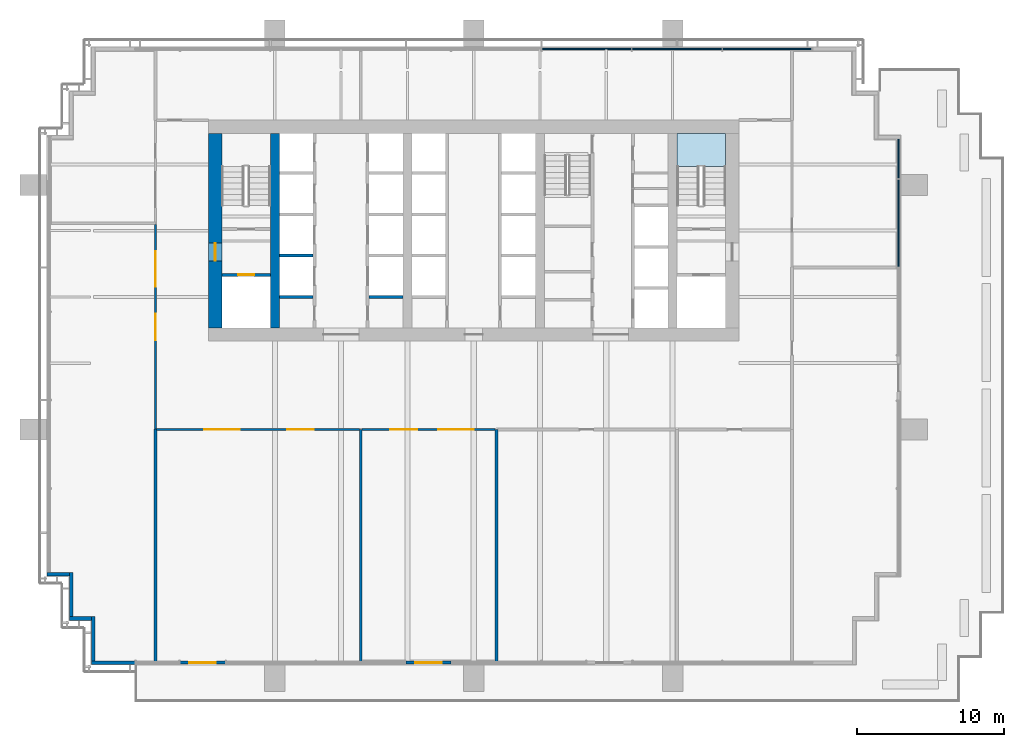
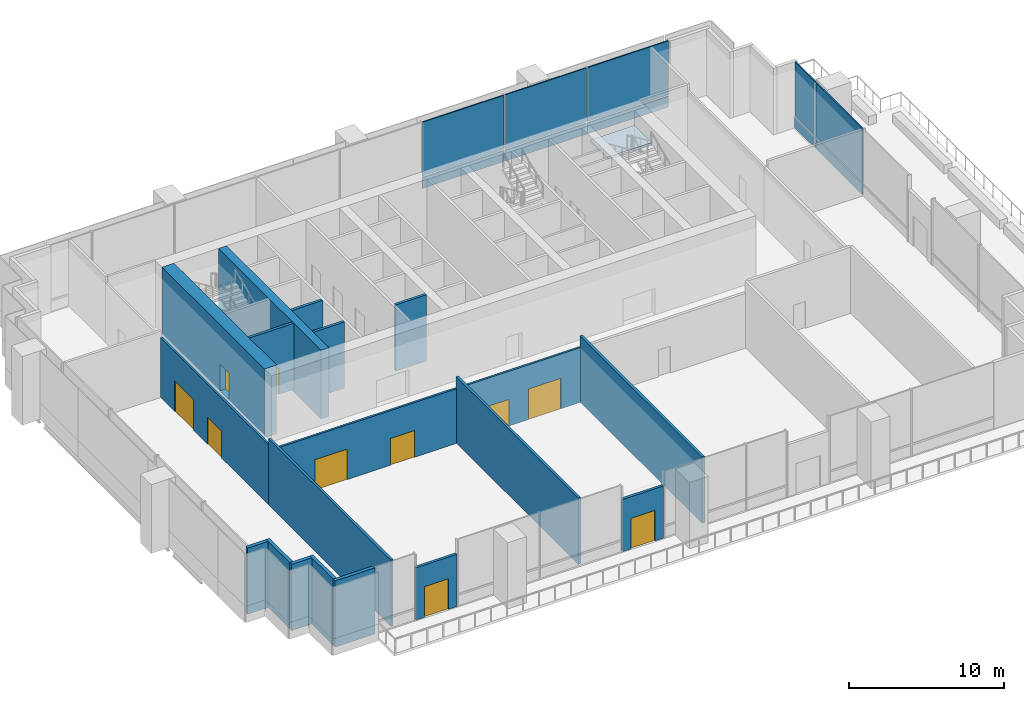
# One storey, part 7 of 14: 19 walls, 10 plates, 7 doors, 3 windows, 1 slab, 10 openings, 3 elements without a shape of their own.
"""IFC4 building model written with IfcOpenShell, lengths in metres."""

from ifc_helpers import new_model, si_unit, direction, frame, frame_2d, origin, origin_2d, place, context, subcontext, project, spatial, polyline, rectangle, outline, extrude, material, layer, layer_set, type_object, element, fill, aggregate, save


model = new_model("IFC4")

# Units and contexts
model_context = context("Model", 3, precision=1e-05, world=origin(), true_north=direction((0.0, 1.0)))
body_context = subcontext(model_context, "Body", "Model", "MODEL_VIEW")
ifc_project = project(units=[si_unit("LENGTHUNIT", "METRE"), si_unit("AREAUNIT", "SQUARE_METRE"), si_unit("VOLUMEUNIT", "CUBIC_METRE"), si_unit("PLANEANGLEUNIT", "RADIAN"), si_unit("MASSUNIT", "GRAM", prefix="KILO")], contexts=[model_context])

# Site, building, storey
site_placement = place(None, origin())
site = spatial("IfcSite", under=ifc_project, at=site_placement, CompositionType="ELEMENT")
building_placement = place(site_placement, origin())
building = spatial("IfcBuilding", under=site, at=building_placement, Name="Rattan Terrace Tower", CompositionType="ELEMENT")
storey_placement = place(building_placement, frame((0.0, 0.0, 120.699951171875)))
storey = spatial("IfcBuildingStorey", under=building, at=storey_placement, Name="L27", CompositionType="ELEMENT", Elevation=120.699951171875)

# Stair, slab
ifc_material_1 = material(Name="Concrete C40/50", Category="concrete")
stair_type = type_object("IfcStairType", Name="Core exit stair 1500", PredefinedType="HALF_TURN_STAIR", material=ifc_material_1)
stair_placement = place(storey_placement, origin())
stair = element("IfcStair", 1, at=stair_placement, inside=storey, type_object=stair_type, Name="L27 exit stair 2", PredefinedType="HALF_TURN_STAIR")
ifc_material_2 = material(Name="Concrete C40/50", Category="concrete")
ifc_layer_1 = layer(ifc_material_2, 0.199951171875)
ifc_layer_set_1 = layer_set([ifc_layer_1], Name="Core exit stair landing")
slab_type = type_object("IfcSlabType", Name="Core exit stair landing", PredefinedType="LANDING", material=ifc_layer_set_1)
slab_placement = place(storey_placement, frame((0.0, 0.0, 3.85009765625)))
slab = element("IfcSlab", 2, at=slab_placement, type_object=slab_type, Name="S2 landing 3", PredefinedType="LANDING", context=body_context, shape_type="SweptSolid", body=[
    extrude(outline(polyline([(17.10009765625, 4.360107421875), (17.10009765625, 6.60009765625), (13.800048828125, 6.60009765625), (13.800048828125, 4.360107421875), (17.10009765625, 4.360107421875)])), origin(), (0.0, 0.0, 1.0), 0.199951171875),
])
aggregate(stair, [slab])

# Curtain wall, plates
ifc_material_3 = material(Name="Steel fins, aluminium and glass", Category="steel")
ifc_layer_2 = layer(ifc_material_3, 0.300048828125)
ifc_layer_set_2 = layer_set([ifc_layer_2], Name="Sky Lobby Stick Curtain Wall")
curtain_wall_type = type_object("IfcCurtainWallType", Name="Sky Lobby Stick Curtain Wall", PredefinedType="NOTDEFINED", material=ifc_layer_set_2)
curtain_wall_1_placement = place(storey_placement, origin())
curtain_wall_1 = element("IfcCurtainWall", 3, at=curtain_wall_1_placement, inside=storey, type_object=curtain_wall_type, Name="Sky lobby curtain wall L27-2", PredefinedType="NOTDEFINED")
ifc_material_4 = material(Name="Insulated aluminium spandrel panel", Category="aluminium")
ifc_layer_3 = layer(ifc_material_4, 0.10009765625)
ifc_layer_set_3 = layer_set([ifc_layer_3], Name="Sky Lobby CW Insulated Panel")
plate_type_1 = type_object("IfcPlateType", Name="Sky Lobby CW Insulated Panel", PredefinedType="CURTAIN_PANEL", material=ifc_layer_set_3)
plate_1_placement = place(storey_placement, frame((28.830078125, 0.5, 0.0), z_axis=(0.0, 0.0, 1.0), x_axis=(0.0, 1.0, 0.0)))
plate_1 = element("IfcPlate", 4, at=plate_1_placement, type_object=plate_type_1, Name="Panel cwl-L27-002.2.1", PredefinedType="CURTAIN_PANEL", context=body_context, shape_type="SweptSolid", body=[
    extrude(rectangle(XDim=5.919921875, YDim=0.10009765625, at=origin_2d()), origin(), (0.0, 0.0, 1.0), 0.840087890625),
])
plate_2_placement = place(storey_placement, frame((28.830078125, 4.87255859375, 0.0), z_axis=(0.0, 0.0, 1.0), x_axis=(0.0, 1.0, 0.0)))
plate_2 = element("IfcPlate", 5, at=plate_2_placement, type_object=plate_type_1, Name="Panel cwl-L27-002.3.1", PredefinedType="CURTAIN_PANEL", context=body_context, shape_type="SweptSolid", body=[
    extrude(rectangle(XDim=2.6650390625, YDim=0.10009765625, at=origin_2d()), origin(), (0.0, 0.0, 1.0), 0.840087890625),
])

curtain_wall_2_placement = place(storey_placement, origin())
curtain_wall_2 = element("IfcCurtainWall", 6, at=curtain_wall_2_placement, inside=storey, type_object=curtain_wall_type, Name="Sky lobby curtain wall L27-3", PredefinedType="NOTDEFINED")
plate_3_placement = place(storey_placement, frame((19.9130859375, 12.330078125, 0.0), z_axis=(0.0, 0.0, 1.0), x_axis=(-1.0, 0.0, 0.0)))
plate_3 = element("IfcPlate", 7, at=plate_3_placement, type_object=plate_type_1, Name="Panel cwl-L27-003.1.1", PredefinedType="CURTAIN_PANEL", context=body_context, shape_type="SweptSolid", body=[
    extrude(rectangle(XDim=6.013916015625, YDim=0.10009765625, at=origin_2d()), origin(), (0.0, 0.0, 1.0), 0.840087890625),
])
plate_4_placement = place(storey_placement, frame((13.799072265625, 12.330078125, 0.0), z_axis=(0.0, 0.0, 1.0), x_axis=(-1.0, 0.0, 0.0)))
plate_4 = element("IfcPlate", 8, at=plate_4_placement, type_object=plate_type_1, Name="Panel cwl-L27-003.2.1", PredefinedType="CURTAIN_PANEL", context=body_context, shape_type="SweptSolid", body=[
    extrude(rectangle(XDim=6.053955078125, YDim=0.10009765625, at=origin_2d()), origin(), (0.0, 0.0, 1.0), 0.840087890625),
])
plate_5_placement = place(storey_placement, frame((7.6650390625, 12.330078125, 0.0), z_axis=(0.0, 0.0, 1.0), x_axis=(-1.0, 0.0, 0.0)))
plate_5 = element("IfcPlate", 9, at=plate_5_placement, type_object=plate_type_1, Name="Panel cwl-L27-003.3.1", PredefinedType="CURTAIN_PANEL", context=body_context, shape_type="SweptSolid", body=[
    extrude(rectangle(XDim=6.053955078125, YDim=0.10009765625, at=origin_2d()), origin(), (0.0, 0.0, 1.0), 0.840087890625),
])

# Plate
ifc_material_5 = material(Name="Laminated low-iron glass", Category="glass")
ifc_layer_4 = layer(ifc_material_5, 0.090087890625)
ifc_layer_set_4 = layer_set([ifc_layer_4], Name="Sky Lobby CW Vision Panel")
plate_type_2 = type_object("IfcPlateType", Name="Sky Lobby CW Vision Panel", PredefinedType="CURTAIN_PANEL", material=ifc_layer_set_4)
plate_6_placement = place(storey_placement, frame((28.830078125, 0.5, 0.9599609375), z_axis=(0.0, 0.0, 1.0), x_axis=(0.0, 1.0, 0.0)))
plate_6 = element("IfcPlate", 10, at=plate_6_placement, type_object=plate_type_2, Name="Panel cwl-L27-002.2.2", PredefinedType="CURTAIN_PANEL", context=body_context, shape_type="SweptSolid", body=[
    extrude(rectangle(XDim=5.919921875, YDim=0.090087890625, at=origin_2d()), origin(), (0.0, 0.0, 1.0), 4.239990234375),
])

plate_7_placement = place(storey_placement, frame((28.830078125, 4.87255859375, 0.9599609375), z_axis=(0.0, 0.0, 1.0), x_axis=(0.0, 1.0, 0.0)))
plate_7 = element("IfcPlate", 11, at=plate_7_placement, type_object=plate_type_2, Name="Panel cwl-L27-002.3.2", PredefinedType="CURTAIN_PANEL", context=body_context, shape_type="SweptSolid", body=[
    extrude(rectangle(XDim=2.6650390625, YDim=0.090087890625, at=origin_2d()), origin(), (0.0, 0.0, 1.0), 4.239990234375),
])

aggregate(curtain_wall_1, [plate_1, plate_6, plate_2, plate_7])

plate_8_placement = place(storey_placement, frame((19.9130859375, 12.330078125, 0.9599609375), z_axis=(0.0, 0.0, 1.0), x_axis=(-1.0, 0.0, 0.0)))
plate_8 = element("IfcPlate", 12, at=plate_8_placement, type_object=plate_type_2, Name="Panel cwl-L27-003.1.2", PredefinedType="CURTAIN_PANEL", context=body_context, shape_type="SweptSolid", body=[
    extrude(rectangle(XDim=6.013916015625, YDim=0.090087890625, at=origin_2d()), origin(), (0.0, 0.0, 1.0), 4.239990234375),
])

plate_9_placement = place(storey_placement, frame((13.799072265625, 12.330078125, 0.9599609375), z_axis=(0.0, 0.0, 1.0), x_axis=(-1.0, 0.0, 0.0)))
plate_9 = element("IfcPlate", 13, at=plate_9_placement, type_object=plate_type_2, Name="Panel cwl-L27-003.2.2", PredefinedType="CURTAIN_PANEL", context=body_context, shape_type="SweptSolid", body=[
    extrude(rectangle(XDim=6.053955078125, YDim=0.090087890625, at=origin_2d()), origin(), (0.0, 0.0, 1.0), 4.239990234375),
])

plate_10_placement = place(storey_placement, frame((7.6650390625, 12.330078125, 0.9599609375), z_axis=(0.0, 0.0, 1.0), x_axis=(-1.0, 0.0, 0.0)))
plate_10 = element("IfcPlate", 14, at=plate_10_placement, type_object=plate_type_2, Name="Panel cwl-L27-003.3.2", PredefinedType="CURTAIN_PANEL", context=body_context, shape_type="SweptSolid", body=[
    extrude(rectangle(XDim=6.053955078125, YDim=0.090087890625, at=origin_2d()), origin(), (0.0, 0.0, 1.0), 4.239990234375),
])

aggregate(curtain_wall_2, [plate_3, plate_8, plate_4, plate_9, plate_5, plate_10])

# Wall, opening, door
ifc_material_6 = material(Name="Gypsum board partition")
ifc_layer_5 = layer(ifc_material_6, 0.199951171875)
ifc_layer_set_5 = layer_set([ifc_layer_5], Name="Core partition 200")
wall_type_1 = type_object("IfcWallType", Name="Core partition 200", PredefinedType="PARTITIONING", material=ifc_layer_set_5)
wall_1_placement = place(storey_placement, frame((-17.10009765625, -3.0, 0.0), z_axis=(0.0, 0.0, 1.0), x_axis=(1.0, 0.0, 0.0)))
wall_1 = element("IfcWall", 15, at=wall_1_placement, inside=storey, type_object=wall_type_1, Name="Fire-fighting lobby wall", PredefinedType="PARTITIONING", context=body_context, shape_type="SweptSolid", body=[
    extrude(rectangle(XDim=3.300048828125, YDim=0.199951171875, at=frame_2d((1.64990234375, 0.0))), origin(), (0.0, 0.0, 1.0), 5.199951171875),
])
opening_1_placement = place(wall_1_placement, frame((1.10009765625, 0.0, 0.0)))
opening_1 = element("IfcOpeningElement", 16, at=opening_1_placement, cuts=wall_1, Name="Opening L27-LD-FF1", PredefinedType="OPENING", context=body_context, shape_type="SweptSolid", body=[
    extrude(rectangle(XDim=1.10009765625, YDim=2.10009765625, at=frame_2d((0.550048828125, 1.050048828125))), frame((0.0, 0.110595703125, 0.0), z_axis=(0.0, -1.0, 0.0), x_axis=(1.0, 0.0, 0.0)), (0.0, 0.0, 1.0), 0.220947265625),
])
ifc_material_7 = material(Name="Brushed stainless landing door panel")
door_type_1 = type_object("IfcDoorType", Name="Core lift landing door 1100", OperationType="DOUBLE_DOOR_SLIDING", PredefinedType="DOOR", material=ifc_material_7)
door_1_placement = place(opening_1_placement, origin())
door_1 = element("IfcDoor", 17, at=door_1_placement, inside=storey, type_object=door_type_1, Name="Door L27-LD-FF1", OperationType="DOUBLE_DOOR_SLIDING", OverallHeight=2.10009765625, OverallWidth=1.10009765625, PredefinedType="DOOR", context=body_context, shape_type="SweptSolid", body=[
    extrude(rectangle(XDim=1.10009765625, YDim=2.10009765625, at=frame_2d((0.550048828125, 1.050048828125))), frame((0.0, 0.02490234375, 0.0), z_axis=(0.0, -1.0, 0.0), x_axis=(1.0, 0.0, 0.0)), (0.0, 0.0, 1.0), 0.050048828125),
])
fill(opening_1, door_1)

ifc_material_8 = material(Name="Concrete C60/75", Category="concrete")
ifc_layer_6 = layer(ifc_material_8, 0.89990234375)
ifc_layer_set_6 = layer_set([ifc_layer_6], Name="Core ring wall 900 C60/75")
wall_type_2 = type_object("IfcWallType", Name="Core ring wall 900 C60/75", PredefinedType="SHEAR", material=ifc_layer_set_6)
wall_2_placement = place(storey_placement, frame((-17.550048828125, -6.60009765625, -0.199951171875), z_axis=(0.0, 0.0, 1.0), x_axis=(0.0, 1.0, 0.0)))
wall_2 = element("IfcWall", 18, at=wall_2_placement, inside=storey, type_object=wall_type_2, Name="Rear core wall west", PredefinedType="SHEAR", context=body_context, shape_type="SweptSolid", body=[
    extrude(rectangle(XDim=13.2001953125, YDim=0.89990234375, at=frame_2d((6.60009765625, 0.0))), origin(), (0.0, 0.0, 1.0), 5.39990234375),
])
opening_2_placement = place(wall_2_placement, frame((4.550048828125, 0.0, 0.199951171875)))
opening_2 = element("IfcOpeningElement", 19, at=opening_2_placement, cuts=wall_2, Name="Opening L27-D001", PredefinedType="OPENING", context=body_context, shape_type="SweptSolid", body=[
    extrude(rectangle(XDim=1.199951171875, YDim=2.10009765625, at=frame_2d((0.60009765625, 1.050048828125))), frame((0.0, 0.46044921875, 0.0), z_axis=(0.0, -1.0, 0.0), x_axis=(1.0, 0.0, 0.0)), (0.0, 0.0, 1.0), 0.9208984375),
])
ifc_material_9 = material(Name="Hollow-metal fire door leaf")
door_type_2 = type_object("IfcDoorType", Name="Core fire-fighting lobby door 1200", OperationType="NOTDEFINED", PredefinedType="DOOR", material=ifc_material_9)
door_2_placement = place(opening_2_placement, origin())
door_2 = element("IfcDoor", 20, at=door_2_placement, inside=storey, type_object=door_type_2, Name="Door L27-D001", OperationType="SINGLE_SWING_LEFT", OverallHeight=2.10009765625, OverallWidth=1.199951171875, PredefinedType="DOOR", context=body_context, shape_type="SweptSolid", body=[
    extrude(rectangle(XDim=1.199951171875, YDim=2.10009765625, at=frame_2d((0.60009765625, 1.050048828125))), frame((0.0, 0.02490234375, 0.0), z_axis=(0.0, -1.0, 0.0), x_axis=(1.0, 0.0, 0.0)), (0.0, 0.0, 1.0), 0.050048828125),
])
fill(opening_2, door_2)

# Wall
ifc_material_10 = material(Name="Concrete C60/75", Category="concrete")
ifc_layer_7 = layer(ifc_material_10, 0.60009765625)
ifc_layer_set_7 = layer_set([ifc_layer_7], Name="Core spine wall 600 C60/75")
wall_type_3 = type_object("IfcWallType", Name="Core spine wall 600 C60/75", PredefinedType="SHEAR", material=ifc_layer_set_7)
wall_3_placement = place(storey_placement, frame((-13.5, -6.60009765625, -0.199951171875), z_axis=(0.0, 0.0, 1.0), x_axis=(0.0, 1.0, 0.0)))
element("IfcWall", 21, at=wall_3_placement, inside=storey, type_object=wall_type_3, Name="Core spine wall 1", PredefinedType="SHEAR", context=body_context, shape_type="SweptSolid", body=[
    extrude(rectangle(XDim=13.2001953125, YDim=0.60009765625, at=frame_2d((6.60009765625, 0.0))), origin(), (0.0, 0.0, 1.0), 5.39990234375),
])

# Wall, opening, door
ifc_material_11 = material(Name="Insulated aluminium-clad stud wall", Category="aluminium")
ifc_layer_8 = layer(ifc_material_11, 0.199951171875)
ifc_layer_set_8 = layer_set([ifc_layer_8], Name="Facade Door Wall 200")
wall_type_4 = type_object("IfcWallType", Name="Facade Door Wall 200", PredefinedType="SOLIDWALL", material=ifc_layer_set_8)
wall_4_placement = place(storey_placement, frame((-19.93310546875, -29.330078125, 0.0), z_axis=(0.0, 0.0, 1.0), x_axis=(1.0, 0.0, 0.0)))
wall_4 = element("IfcWall", 22, at=wall_4_placement, inside=storey, type_object=wall_type_4, Name="Terrace door wall L27-22", PredefinedType="SOLIDWALL", context=body_context, shape_type="SweptSolid", body=[
    extrude(rectangle(XDim=3.067138671875, YDim=0.199951171875, at=frame_2d((1.53369140625, 0.0))), origin(), (0.0, 0.0, 1.0), 4.10009765625),
])
opening_3_placement = place(wall_4_placement, frame((0.633544921875, 0.0, 0.0)))
opening_3 = element("IfcOpeningElement", 23, at=opening_3_placement, cuts=wall_4, Name="Opening L27-D702", PredefinedType="OPENING", context=body_context, shape_type="SweptSolid", body=[
    extrude(rectangle(XDim=1.800048828125, YDim=2.39990234375, at=frame_2d((0.89990234375, 1.199951171875))), frame((0.0, 0.110595703125, 0.0), z_axis=(0.0, -1.0, 0.0), x_axis=(1.0, 0.0, 0.0)), (0.0, 0.0, 1.0), 0.220947265625),
])
ifc_material_12 = material(Name="Aluminium and clear glass", Category="aluminium")
door_type_3 = type_object("IfcDoorType", Name="Facade Terrace Door 1800", OperationType="DOUBLE_DOOR_SINGLE_SWING", PredefinedType="DOOR", material=ifc_material_12)
door_3_placement = place(opening_3_placement, origin())
door_3 = element("IfcDoor", 24, at=door_3_placement, inside=storey, type_object=door_type_3, Name="Terrace door L27-D702", OperationType="DOUBLE_DOOR_SINGLE_SWING", OverallHeight=2.39990234375, OverallWidth=1.800048828125, PredefinedType="DOOR", context=body_context, shape_type="SweptSolid", body=[
    extrude(rectangle(XDim=1.800048828125, YDim=2.39990234375, at=frame_2d((0.89990234375, 1.199951171875))), frame((0.0, 0.02490234375, 0.0), z_axis=(0.0, -1.0, 0.0), x_axis=(1.0, 0.0, 0.0)), (0.0, 0.0, 1.0), 0.050048828125),
])
fill(opening_3, door_3)

wall_5_placement = place(storey_placement, frame((-4.597900390625, -29.330078125, 0.0), z_axis=(0.0, 0.0, 1.0), x_axis=(1.0, 0.0, 0.0)))
wall_5 = element("IfcWall", 25, at=wall_5_placement, inside=storey, type_object=wall_type_4, Name="Terrace door wall L27-23", PredefinedType="SOLIDWALL", context=body_context, shape_type="SweptSolid", body=[
    extrude(rectangle(XDim=3.06689453125, YDim=0.199951171875, at=frame_2d((1.533447265625, 0.0))), origin(), (0.0, 0.0, 1.0), 4.10009765625),
])
opening_4_placement = place(wall_5_placement, frame((0.633544921875, 0.0, 0.0)))
opening_4 = element("IfcOpeningElement", 26, at=opening_4_placement, cuts=wall_5, Name="Opening L27-D703", PredefinedType="OPENING", context=body_context, shape_type="SweptSolid", body=[
    extrude(rectangle(XDim=1.800048828125, YDim=2.39990234375, at=frame_2d((0.89990234375, 1.199951171875))), frame((0.0, 0.110595703125, 0.0), z_axis=(0.0, -1.0, 0.0), x_axis=(1.0, 0.0, 0.0)), (0.0, 0.0, 1.0), 0.220947265625),
])
door_4_placement = place(opening_4_placement, origin())
door_4 = element("IfcDoor", 27, at=door_4_placement, inside=storey, type_object=door_type_3, Name="Terrace door L27-D703", OperationType="DOUBLE_DOOR_SINGLE_SWING", OverallHeight=2.39990234375, OverallWidth=1.800048828125, PredefinedType="DOOR", context=body_context, shape_type="SweptSolid", body=[
    extrude(rectangle(XDim=1.800048828125, YDim=2.39990234375, at=frame_2d((0.89990234375, 1.199951171875))), frame((0.0, 0.02490234375, 0.0), z_axis=(0.0, -1.0, 0.0), x_axis=(1.0, 0.0, 0.0)), (0.0, 0.0, 1.0), 0.050048828125),
])
fill(opening_4, door_4)

# Walls
ifc_material_13 = material(Name="Insulated aluminium-clad stud wall", Category="aluminium")
ifc_layer_9 = layer(ifc_material_13, 0.25)
ifc_layer_set_9 = layer_set([ifc_layer_9], Name="Facade Riser Wall 250")
wall_type_5 = type_object("IfcWallType", Name="Facade Riser Wall 250", PredefinedType="SOLIDWALL", material=ifc_layer_set_9)
wall_6_placement = place(storey_placement, frame((-28.97998046875, -23.330078125, 0.0), z_axis=(0.0, 0.0, 1.0), x_axis=(1.0, 0.0, 0.0)))
element("IfcWall", 28, at=wall_6_placement, inside=storey, type_object=wall_type_5, Name="Riser wall L27-17", PredefinedType="SOLIDWALL", context=body_context, shape_type="SweptSolid", body=[
    extrude(rectangle(XDim=1.52490234375, YDim=0.25, at=frame_2d((0.762451171875, 0.0))), origin(), (0.0, 0.0, 1.0), 5.199951171875),
])
wall_7_placement = place(storey_placement, frame((-27.330078125, -23.205078125, 0.0), z_axis=(0.0, 0.0, 1.0), x_axis=(0.0, -1.0, 0.0)))
element("IfcWall", 29, at=wall_7_placement, inside=storey, type_object=wall_type_5, Name="Riser wall L27-18", PredefinedType="SOLIDWALL", context=body_context, shape_type="SweptSolid", body=[
    extrude(rectangle(XDim=3.0, YDim=0.25, at=frame_2d((1.5, 0.0))), origin(), (0.0, 0.0, 1.0), 5.199951171875),
])
wall_8_placement = place(storey_placement, frame((-27.455078125, -26.330078125, 0.0), z_axis=(0.0, 0.0, 1.0), x_axis=(1.0, 0.0, 0.0)))
element("IfcWall", 30, at=wall_8_placement, inside=storey, type_object=wall_type_5, Name="Riser wall L27-19", PredefinedType="SOLIDWALL", context=body_context, shape_type="SweptSolid", body=[
    extrude(rectangle(XDim=1.5, YDim=0.25, at=frame_2d((0.75, 0.0))), origin(), (0.0, 0.0, 1.0), 5.199951171875),
])
wall_9_placement = place(storey_placement, frame((-25.830078125, -26.205078125, 0.0), z_axis=(0.0, 0.0, 1.0), x_axis=(0.0, -1.0, 0.0)))
element("IfcWall", 31, at=wall_9_placement, inside=storey, type_object=wall_type_5, Name="Riser wall L27-20", PredefinedType="SOLIDWALL", context=body_context, shape_type="SweptSolid", body=[
    extrude(rectangle(XDim=3.0, YDim=0.25, at=frame_2d((1.5, 0.0))), origin(), (0.0, 0.0, 1.0), 5.199951171875),
])
wall_10_placement = place(storey_placement, frame((-25.955078125, -29.330078125, 0.0), z_axis=(0.0, 0.0, 1.0), x_axis=(1.0, 0.0, 0.0)))
element("IfcWall", 32, at=wall_10_placement, inside=storey, type_object=wall_type_5, Name="Riser wall L27-21", PredefinedType="SOLIDWALL", context=body_context, shape_type="SweptSolid", body=[
    extrude(rectangle(XDim=2.955078125, YDim=0.25, at=frame_2d((1.4775390625, 0.0))), origin(), (0.0, 0.0, 1.0), 5.199951171875),
])
ifc_material_14 = material(Name="Double steel stud acoustic partition, gypsum board, mineral wool, fire rated", Category="steel")
ifc_layer_10 = layer(ifc_material_14, 0.179931640625)
ifc_layer_set_10 = layer_set([ifc_layer_10], Name="Floors Acoustic Party Wall 180")
wall_type_6 = type_object("IfcWallType", Name="Floors Acoustic Party Wall 180", PredefinedType="PARTITIONING", material=ifc_layer_set_10)
wall_11_placement = place(storey_placement, frame((-7.6669921875, -29.239990234375, 0.0), z_axis=(0.0, 0.0, 1.0), x_axis=(0.0, 1.0, 0.0)))
element("IfcWall", 33, at=wall_11_placement, inside=storey, type_object=wall_type_6, Name="pt-L27-013", PredefinedType="PARTITIONING", context=body_context, shape_type="SweptSolid", body=[
    extrude(rectangle(XDim=15.739990234375, YDim=0.179931640625, at=frame_2d((7.8701171875, 0.0))), origin(), (0.0, 0.0, 1.0), 5.199951171875),
])
wall_12_placement = place(storey_placement, frame((-21.60009765625, -13.47998046875, 0.0), z_axis=(0.0, 0.0, 1.0), x_axis=(0.0, -1.0, 0.0)))
element("IfcWall", 34, at=wall_12_placement, inside=storey, type_object=wall_type_6, Name="pt-L27-015", PredefinedType="PARTITIONING", context=body_context, shape_type="SweptSolid", body=[
    extrude(rectangle(XDim=15.760009765625, YDim=0.179931640625, at=frame_2d((7.8798828125, 0.0))), origin(), (0.0, 0.0, 1.0), 5.199951171875),
])
ifc_material_15 = material(Name="Concrete block wall, plastered", Category="concrete")
ifc_layer_11 = layer(ifc_material_15, 0.199951171875)
ifc_layer_set_11 = layer_set([ifc_layer_11], Name="Floors Plant Wall 200")
wall_type_7 = type_object("IfcWallType", Name="Floors Plant Wall 200", PredefinedType="PARTITIONING", material=ifc_layer_set_11)
wall_13_placement = place(storey_placement, frame((1.532958984375, -13.5, 0.0), z_axis=(0.0, 0.0, 1.0), x_axis=(0.0, -1.0, 0.0)))
element("IfcWall", 35, at=wall_13_placement, inside=storey, type_object=wall_type_7, Name="pt-L27-014", PredefinedType="PARTITIONING", context=body_context, shape_type="SweptSolid", body=[
    extrude(rectangle(XDim=15.739990234375, YDim=0.199951171875, at=frame_2d((7.8701171875, 0.0))), origin(), (0.0, 0.0, 1.0), 5.199951171875),
])

# Wall, openings, door, window
ifc_material_16 = material(Name="Gypsum board partition on steel studs, fire rated", Category="steel")
ifc_layer_12 = layer(ifc_material_16, 0.14990234375)
ifc_layer_set_12 = layer_set([ifc_layer_12], Name="Floors Tenancy Wall 150")
wall_type_8 = type_object("IfcWallType", Name="Floors Tenancy Wall 150", PredefinedType="PARTITIONING", material=ifc_layer_set_12)
wall_14_placement = place(storey_placement, frame((1.43310546875, -13.5, 0.0), z_axis=(0.0, 0.0, 1.0), x_axis=(-1.0, 0.0, 0.0)))
wall_14 = element("IfcWall", 36, at=wall_14_placement, inside=storey, type_object=wall_type_8, Name="pt-L27-002", PredefinedType="PARTITIONING", context=body_context, shape_type="SweptSolid", body=[
    extrude(rectangle(XDim=9.010009765625, YDim=0.14990234375, at=frame_2d((4.5048828125, 0.0))), origin(), (0.0, 0.0, 1.0), 4.300048828125),
])
opening_5_placement = place(wall_14_placement, frame((5.281982421875, 0.0, 0.0)))
opening_5 = element("IfcOpeningElement", 37, at=opening_5_placement, cuts=wall_14, Name="Opening L27-D101", PredefinedType="OPENING", context=body_context, shape_type="SweptSolid", body=[
    extrude(rectangle(XDim=1.800048828125, YDim=2.10009765625, at=frame_2d((0.89990234375, 1.050048828125))), frame((0.0, 0.08544921875, 0.0), z_axis=(0.0, -1.0, 0.0), x_axis=(1.0, 0.0, 0.0)), (0.0, 0.0, 1.0), 0.1708984375),
])
opening_6_placement = place(wall_14_placement, frame((1.44091796875, 0.0, 0.0)))
opening_6 = element("IfcOpeningElement", 38, at=opening_6_placement, cuts=wall_14, Name="Opening L27-W101", PredefinedType="OPENING", context=body_context, shape_type="SweptSolid", body=[
    extrude(rectangle(XDim=2.39990234375, YDim=2.39990234375, at=frame_2d((1.199951171875, 1.199951171875))), frame((0.0, 0.08544921875, 0.0), z_axis=(0.0, -1.0, 0.0), x_axis=(1.0, 0.0, 0.0)), (0.0, 0.0, 1.0), 0.1708984375),
])
ifc_material_17 = material(Name="Steel fire door set", Category="steel")
door_type_4 = type_object("IfcDoorType", Name="Floors Fire Door Pair FD30S 1800x2100", OperationType="NOTDEFINED", PredefinedType="DOOR", material=ifc_material_17)
door_5_placement = place(opening_5_placement, origin())
door_5 = element("IfcDoor", 39, at=door_5_placement, inside=storey, type_object=door_type_4, Name="d-L27-101", OperationType="DOUBLE_DOOR_SINGLE_SWING", OverallHeight=2.10009765625, OverallWidth=1.800048828125, PredefinedType="DOOR", context=body_context, shape_type="SweptSolid", body=[
    extrude(rectangle(XDim=1.800048828125, YDim=2.10009765625, at=frame_2d((0.89990234375, 1.050048828125))), frame((0.0, 0.02490234375, 0.0), z_axis=(0.0, -1.0, 0.0), x_axis=(1.0, 0.0, 0.0)), (0.0, 0.0, 1.0), 0.050048828125),
])
fill(opening_5, door_5)
ifc_material_18 = material(Name="Glass, clear, fixed in aluminium frame", Category="aluminium")
window_type = type_object("IfcWindowType", Name="Interior Glazed Screen 2400x2400", PartitioningType="SINGLE_PANEL", PredefinedType="WINDOW", material=ifc_material_18)
window_1_placement = place(opening_6_placement, origin())
window_1 = element("IfcWindow", 40, at=window_1_placement, inside=storey, type_object=window_type, Name="w-L27-101", OverallHeight=2.39990234375, OverallWidth=2.39990234375, PartitioningType="SINGLE_PANEL", PredefinedType="WINDOW", context=body_context, shape_type="SweptSolid", body=[
    extrude(rectangle(XDim=2.39990234375, YDim=2.39990234375, at=frame_2d((1.199951171875, 1.199951171875))), frame((0.0, 0.030029296875, 0.0), z_axis=(0.0, -1.0, 0.0), x_axis=(1.0, 0.0, 0.0)), (0.0, 0.0, 1.0), 0.06005859375),
])
fill(opening_6, window_1)

wall_15_placement = place(storey_placement, frame((-21.60009765625, -13.47998046875, 0.0), z_axis=(0.0, 0.0, 1.0), x_axis=(0.0, 1.0, 0.0)))
wall_15 = element("IfcWall", 41, at=wall_15_placement, inside=storey, type_object=wall_type_8, Name="pt-L27-003", PredefinedType="PARTITIONING", context=body_context, shape_type="SweptSolid", body=[
    extrude(rectangle(XDim=13.889892578125, YDim=0.14990234375, at=frame_2d((6.94482421875, 0.0))), origin(), (0.0, 0.0, 1.0), 4.699951171875),
])
opening_7_placement = place(wall_15_placement, frame((6.044921875, 0.0, 0.0)))
opening_7 = element("IfcOpeningElement", 42, at=opening_7_placement, cuts=wall_15, Name="Opening L27-D102", PredefinedType="OPENING", context=body_context, shape_type="SweptSolid", body=[
    extrude(rectangle(XDim=1.800048828125, YDim=2.10009765625, at=frame_2d((0.89990234375, 1.050048828125))), frame((0.0, 0.08544921875, 0.0), z_axis=(0.0, -1.0, 0.0), x_axis=(1.0, 0.0, 0.0)), (0.0, 0.0, 1.0), 0.1708984375),
])
opening_8_placement = place(wall_15_placement, frame((9.66796875, 0.0, 0.0)))
opening_8 = element("IfcOpeningElement", 43, at=opening_8_placement, cuts=wall_15, Name="Opening L27-W102", PredefinedType="OPENING", context=body_context, shape_type="SweptSolid", body=[
    extrude(rectangle(XDim=2.39990234375, YDim=2.39990234375, at=frame_2d((1.199951171875, 1.199951171875))), frame((0.0, 0.08544921875, 0.0), z_axis=(0.0, -1.0, 0.0), x_axis=(1.0, 0.0, 0.0)), (0.0, 0.0, 1.0), 0.1708984375),
])
door_6_placement = place(opening_7_placement, origin())
door_6 = element("IfcDoor", 44, at=door_6_placement, inside=storey, type_object=door_type_4, Name="d-L27-102", OperationType="DOUBLE_DOOR_SINGLE_SWING", OverallHeight=2.10009765625, OverallWidth=1.800048828125, PredefinedType="DOOR", context=body_context, shape_type="SweptSolid", body=[
    extrude(rectangle(XDim=1.800048828125, YDim=2.10009765625, at=frame_2d((0.89990234375, 1.050048828125))), frame((0.0, 0.02490234375, 0.0), z_axis=(0.0, -1.0, 0.0), x_axis=(1.0, 0.0, 0.0)), (0.0, 0.0, 1.0), 0.050048828125),
])
fill(opening_7, door_6)
window_2_placement = place(opening_8_placement, origin())
window_2 = element("IfcWindow", 45, at=window_2_placement, inside=storey, type_object=window_type, Name="w-L27-102", OverallHeight=2.39990234375, OverallWidth=2.39990234375, PartitioningType="SINGLE_PANEL", PredefinedType="WINDOW", context=body_context, shape_type="SweptSolid", body=[
    extrude(rectangle(XDim=2.39990234375, YDim=2.39990234375, at=frame_2d((1.199951171875, 1.199951171875))), frame((0.0, 0.030029296875, 0.0), z_axis=(0.0, -1.0, 0.0), x_axis=(1.0, 0.0, 0.0)), (0.0, 0.0, 1.0), 0.06005859375),
])
fill(opening_8, window_2)

wall_16_placement = place(storey_placement, frame((-7.757080078125, -13.5, 0.0), z_axis=(0.0, 0.0, 1.0), x_axis=(-1.0, 0.0, 0.0)))
wall_16 = element("IfcWall", 46, at=wall_16_placement, inside=storey, type_object=wall_type_8, Name="pt-L27-004", PredefinedType="PARTITIONING", context=body_context, shape_type="SweptSolid", body=[
    extrude(rectangle(XDim=13.767822265625, YDim=0.14990234375, at=frame_2d((6.8837890625, 0.0))), origin(), (0.0, 0.0, 1.0), 4.300048828125),
])
opening_9_placement = place(wall_16_placement, frame((3.116943359375, 0.0, 0.0)))
opening_9 = element("IfcOpeningElement", 47, at=opening_9_placement, cuts=wall_16, Name="Opening L27-D103", PredefinedType="OPENING", context=body_context, shape_type="SweptSolid", body=[
    extrude(rectangle(XDim=1.800048828125, YDim=2.10009765625, at=frame_2d((0.89990234375, 1.050048828125))), frame((0.0, 0.08544921875, 0.0), z_axis=(0.0, -1.0, 0.0), x_axis=(1.0, 0.0, 0.0)), (0.0, 0.0, 1.0), 0.1708984375),
])
opening_10_placement = place(wall_16_placement, frame((8.135009765625, 0.0, 0.0)))
opening_10 = element("IfcOpeningElement", 48, at=opening_10_placement, cuts=wall_16, Name="Opening L27-W103", PredefinedType="OPENING", context=body_context, shape_type="SweptSolid", body=[
    extrude(rectangle(XDim=2.39990234375, YDim=2.39990234375, at=frame_2d((1.199951171875, 1.199951171875))), frame((0.0, 0.08544921875, 0.0), z_axis=(0.0, -1.0, 0.0), x_axis=(1.0, 0.0, 0.0)), (0.0, 0.0, 1.0), 0.1708984375),
])
door_7_placement = place(opening_9_placement, origin())
door_7 = element("IfcDoor", 49, at=door_7_placement, inside=storey, type_object=door_type_4, Name="d-L27-103", OperationType="DOUBLE_DOOR_SINGLE_SWING", OverallHeight=2.10009765625, OverallWidth=1.800048828125, PredefinedType="DOOR", context=body_context, shape_type="SweptSolid", body=[
    extrude(rectangle(XDim=1.800048828125, YDim=2.10009765625, at=frame_2d((0.89990234375, 1.050048828125))), frame((0.0, 0.02490234375, 0.0), z_axis=(0.0, -1.0, 0.0), x_axis=(1.0, 0.0, 0.0)), (0.0, 0.0, 1.0), 0.050048828125),
])
fill(opening_9, door_7)
window_3_placement = place(opening_10_placement, origin())
window_3 = element("IfcWindow", 50, at=window_3_placement, inside=storey, type_object=window_type, Name="w-L27-103", OverallHeight=2.39990234375, OverallWidth=2.39990234375, PartitioningType="SINGLE_PANEL", PredefinedType="WINDOW", context=body_context, shape_type="SweptSolid", body=[
    extrude(rectangle(XDim=2.39990234375, YDim=2.39990234375, at=frame_2d((1.199951171875, 1.199951171875))), frame((0.0, 0.030029296875, 0.0), z_axis=(0.0, -1.0, 0.0), x_axis=(1.0, 0.0, 0.0)), (0.0, 0.0, 1.0), 0.06005859375),
])
fill(opening_10, window_3)

# Walls
ifc_material_19 = material(Name="Gypsum shaft wall system")
ifc_layer_13 = layer(ifc_material_19, 0.199951171875)
ifc_layer_set_13 = layer_set([ifc_layer_13], Name="Lift shaft wall 200")
wall_type_9 = type_object("IfcWallType", Name="Lift shaft wall 200", PredefinedType="PARTITIONING", material=ifc_layer_set_13)
for number, where, z_axis, x_axis, name in (
    (51, (-13.199951171875, -1.699951171875, 0.0), (0.0, 0.0, 1.0), (1.0, 0.0, 0.0), "Lift shaft wall"),
    (52, (-13.199951171875, -4.5, 0.0), (0.0, 0.0, 1.0), (1.0, 0.0, 0.0), "Lift shaft wall"),
    (53, (-7.10009765625, -4.5, 0.0), (0.0, 0.0, 1.0), (1.0, 0.0, 0.0), "Lift shaft wall"),
):
    element("IfcWall", number, at=place(storey_placement, frame(where, z_axis=z_axis, x_axis=x_axis)), inside=storey, type_object=wall_type_9, Name=name, PredefinedType="PARTITIONING", context=body_context, shape_type="SweptSolid", body=[
        extrude(rectangle(XDim=2.300048828125, YDim=0.199951171875, at=frame_2d((1.14990234375, 0.0))), origin(), (0.0, 0.0, 1.0), 5.199951171875),
    ])

save(model, "model.ifc")
